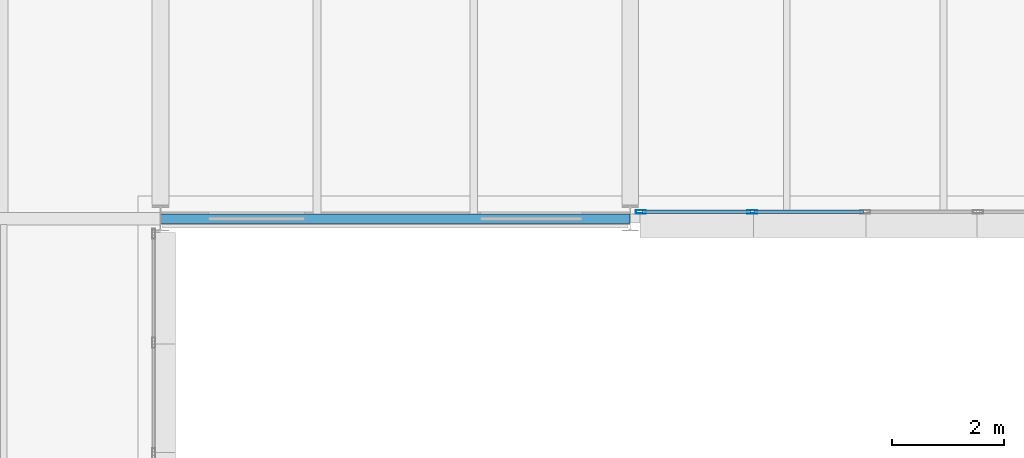
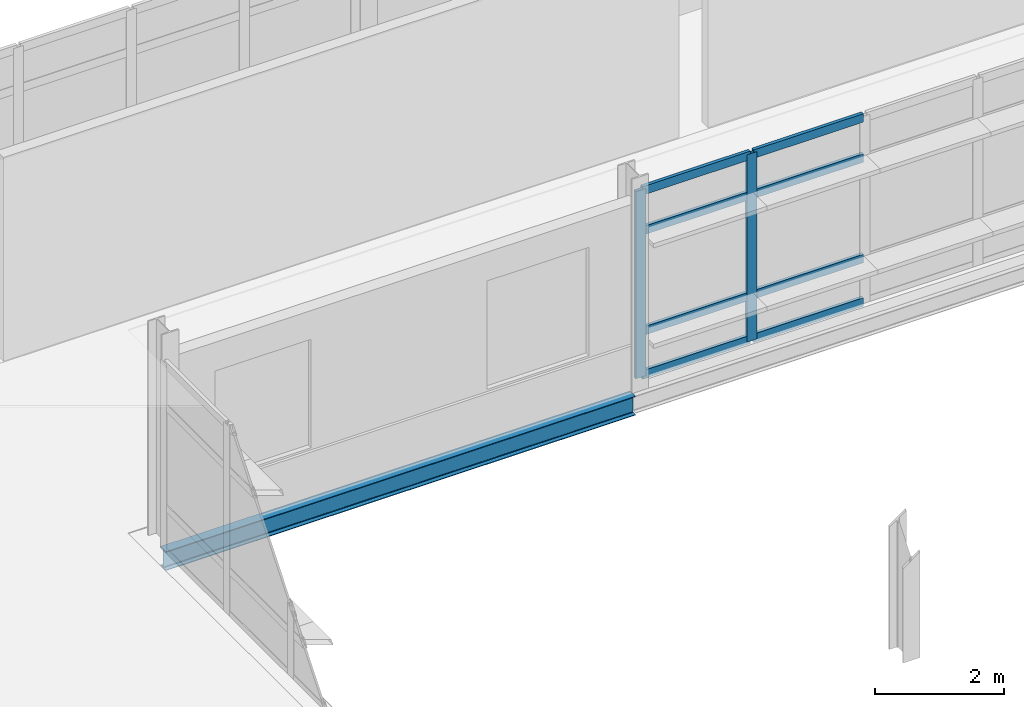
# One storey, part 56 of 103: 10 members, 1 beam, 1 element without a shape of its own.
"""IFC4 building model written with IfcOpenShell, lengths in metres."""

from ifc_helpers import new_model, si_unit, direction, frame, origin, origin_2d, place, context, subcontext, project, spatial, hollow_rectangle, i_section, extrude, material, material_profile, profile_set, type_object, element, aggregate, save


model = new_model("IFC4")

# Units and contexts
model_context = context("Model", 3, precision=1e-05, world=origin(), true_north=direction((0.0, 1.0)))
body_context = subcontext(model_context, "Body", "Model", "MODEL_VIEW")
ifc_project = project(units=[si_unit("LENGTHUNIT", "METRE"), si_unit("AREAUNIT", "SQUARE_METRE"), si_unit("VOLUMEUNIT", "CUBIC_METRE"), si_unit("PLANEANGLEUNIT", "RADIAN"), si_unit("MASSUNIT", "GRAM", prefix="KILO")], contexts=[model_context])

# Site, building, storey
site_placement = place(None, origin())
site = spatial("IfcSite", under=ifc_project, at=site_placement, CompositionType="ELEMENT")
building_placement = place(site_placement, origin())
building = spatial("IfcBuilding", under=site, at=building_placement, Name="Mersafa Astral City Hall", CompositionType="ELEMENT")
storey_placement = place(building_placement, frame((0.0, 0.0, 18.0)))
storey = spatial("IfcBuildingStorey", under=building, at=storey_placement, Name="L04", CompositionType="ELEMENT", Elevation=18.0)

# Curtain wall, members
ifc_material_1 = material(Name="Anodised bronze aluminium framing", Category="aluminium")
curtain_wall_type = type_object("IfcCurtainWallType", Name="ENV-CW-3", PredefinedType="USERDEFINED", material=ifc_material_1)
curtain_wall_placement = place(storey_placement, origin())
curtain_wall = element("IfcCurtainWall", 1, at=curtain_wall_placement, inside=storey, type_object=curtain_wall_type, Name="L04 Unitised solar curtain wall 218", ObjectType="UNITISED CURTAIN WALL", PredefinedType="USERDEFINED")
ifc_material_profile_1 = material_profile(ifc_material_1, hollow_rectangle(XDim=0.06005859375, YDim=0.179931640625, WallThickness=0.00390625, at=origin_2d()), Name="RHS 60x180x4")
ifc_profile_set_1 = profile_set([ifc_material_profile_1], Name="Anodised bronze aluminium framing")
member_type_1 = type_object("IfcMemberType", Name="ENV-CW-MUL-1", PredefinedType="MULLION", material=ifc_profile_set_1)
member_1_placement = place(storey_placement, frame((126.19189453125, 117.719970703125, -0.001953125), z_axis=(0.0, 0.0, 1.0), x_axis=(0.0, 1.0, 0.0)))
member_1 = element("IfcMember", 2, at=member_1_placement, type_object=member_type_1, Name="CW-3 mullion 1", PredefinedType="MULLION", context=body_context, shape_type="SweptSolid", body=[
    extrude(hollow_rectangle(XDim=0.06005859375, YDim=0.179931640625, WallThickness=0.00390625, at=origin_2d()), origin(), (0.0, 0.0, 1.0), 3.5390625),
])
member_2_placement = place(storey_placement, frame((128.180908203125, 117.719970703125, -0.001953125), z_axis=(0.0, 0.0, 1.0), x_axis=(0.0, 1.0, 0.0)))
member_2 = element("IfcMember", 3, at=member_2_placement, type_object=member_type_1, Name="CW-3 mullion 2", PredefinedType="MULLION", context=body_context, shape_type="SweptSolid", body=[
    extrude(hollow_rectangle(XDim=0.06005859375, YDim=0.179931640625, WallThickness=0.00390625, at=origin_2d()), origin(), (0.0, 0.0, 1.0), 3.5390625),
])
ifc_material_profile_2 = material_profile(ifc_material_1, hollow_rectangle(XDim=0.06005859375, YDim=0.159912109375, WallThickness=0.00390625, at=origin_2d()), Name="RHS 60x160x4")
ifc_profile_set_2 = profile_set([ifc_material_profile_2], Name="Anodised bronze aluminium framing")
member_type_2 = type_object("IfcMemberType", Name="ENV-CW-TRN-2", PredefinedType="USERDEFINED", material=ifc_profile_set_2)
member_3_placement = place(storey_placement, frame((126.221923828125, 117.719970703125, 0.028076171875), z_axis=(1.0, 0.0, 0.0), x_axis=(0.0, 1.0, 0.0)))
member_3 = element("IfcMember", 4, at=member_3_placement, type_object=member_type_2, Name="CW-3 transom 1.1", ObjectType="TRANSOM", PredefinedType="USERDEFINED", context=body_context, shape_type="SweptSolid", body=[
    extrude(hollow_rectangle(XDim=0.06005859375, YDim=0.159912109375, WallThickness=0.00390625, at=origin_2d()), origin(), (0.0, 0.0, 1.0), 1.928955078125),
])
member_4_placement = place(storey_placement, frame((126.221923828125, 117.719970703125, 0.85009765625), z_axis=(1.0, 0.0, 0.0), x_axis=(0.0, 1.0, 0.0)))
member_4 = element("IfcMember", 5, at=member_4_placement, type_object=member_type_2, Name="CW-3 transom 1.2", ObjectType="TRANSOM", PredefinedType="USERDEFINED", context=body_context, shape_type="SweptSolid", body=[
    extrude(hollow_rectangle(XDim=0.06005859375, YDim=0.159912109375, WallThickness=0.00390625, at=origin_2d()), origin(), (0.0, 0.0, 1.0), 1.928955078125),
])
member_5_placement = place(storey_placement, frame((126.221923828125, 117.719970703125, 2.75), z_axis=(1.0, 0.0, 0.0), x_axis=(0.0, 1.0, 0.0)))
member_5 = element("IfcMember", 6, at=member_5_placement, type_object=member_type_2, Name="CW-3 transom 1.3", ObjectType="TRANSOM", PredefinedType="USERDEFINED", context=body_context, shape_type="SweptSolid", body=[
    extrude(hollow_rectangle(XDim=0.06005859375, YDim=0.159912109375, WallThickness=0.00390625, at=origin_2d()), origin(), (0.0, 0.0, 1.0), 1.928955078125),
])
member_6_placement = place(storey_placement, frame((126.221923828125, 117.719970703125, 3.507080078125), z_axis=(1.0, 0.0, 0.0), x_axis=(0.0, 1.0, 0.0)))
member_6 = element("IfcMember", 7, at=member_6_placement, type_object=member_type_2, Name="CW-3 transom 1.4", ObjectType="TRANSOM", PredefinedType="USERDEFINED", context=body_context, shape_type="SweptSolid", body=[
    extrude(hollow_rectangle(XDim=0.06005859375, YDim=0.159912109375, WallThickness=0.00390625, at=origin_2d()), origin(), (0.0, 0.0, 1.0), 1.928955078125),
])
member_7_placement = place(storey_placement, frame((128.2109375, 117.719970703125, 0.028076171875), z_axis=(1.0, 0.0, 0.0), x_axis=(0.0, 1.0, 0.0)))
member_7 = element("IfcMember", 8, at=member_7_placement, type_object=member_type_2, Name="CW-3 transom 2.1", ObjectType="TRANSOM", PredefinedType="USERDEFINED", context=body_context, shape_type="SweptSolid", body=[
    extrude(hollow_rectangle(XDim=0.06005859375, YDim=0.159912109375, WallThickness=0.00390625, at=origin_2d()), origin(), (0.0, 0.0, 1.0), 1.958984375),
])
member_8_placement = place(storey_placement, frame((128.2109375, 117.719970703125, 0.85009765625), z_axis=(1.0, 0.0, 0.0), x_axis=(0.0, 1.0, 0.0)))
member_8 = element("IfcMember", 9, at=member_8_placement, type_object=member_type_2, Name="CW-3 transom 2.2", ObjectType="TRANSOM", PredefinedType="USERDEFINED", context=body_context, shape_type="SweptSolid", body=[
    extrude(hollow_rectangle(XDim=0.06005859375, YDim=0.159912109375, WallThickness=0.00390625, at=origin_2d()), origin(), (0.0, 0.0, 1.0), 1.958984375),
])
member_9_placement = place(storey_placement, frame((128.2109375, 117.719970703125, 2.75), z_axis=(1.0, 0.0, 0.0), x_axis=(0.0, 1.0, 0.0)))
member_9 = element("IfcMember", 10, at=member_9_placement, type_object=member_type_2, Name="CW-3 transom 2.3", ObjectType="TRANSOM", PredefinedType="USERDEFINED", context=body_context, shape_type="SweptSolid", body=[
    extrude(hollow_rectangle(XDim=0.06005859375, YDim=0.159912109375, WallThickness=0.00390625, at=origin_2d()), origin(), (0.0, 0.0, 1.0), 1.958984375),
])
member_10_placement = place(storey_placement, frame((128.2109375, 117.719970703125, 3.507080078125), z_axis=(1.0, 0.0, 0.0), x_axis=(0.0, 1.0, 0.0)))
member_10 = element("IfcMember", 11, at=member_10_placement, type_object=member_type_2, Name="CW-3 transom 2.4", ObjectType="TRANSOM", PredefinedType="USERDEFINED", context=body_context, shape_type="SweptSolid", body=[
    extrude(hollow_rectangle(XDim=0.06005859375, YDim=0.159912109375, WallThickness=0.00390625, at=origin_2d()), origin(), (0.0, 0.0, 1.0), 1.958984375),
])
aggregate(curtain_wall, [member_1, member_2, member_3, member_4, member_5, member_6, member_7, member_8, member_9, member_10])

# Beam
ifc_material_2 = material(Name="Steel S355", Category="steel")
ifc_material_profile_3 = material_profile(ifc_material_2, i_section(OverallWidth=0.169921875, OverallDepth=0.360107421875, WebThickness=0.008056640625, FlangeThickness=0.0126953125, FilletRadius=0.01806640625, at=origin_2d()), Name="IPE 360")
ifc_profile_set_3 = profile_set([ifc_material_profile_3], Name="Steel S355")
beam_type = type_object("IfcBeamType", Name="STR-BM-SPANDREL-IPE360", PredefinedType="SPANDREL", material=ifc_profile_set_3)
beam_placement = place(storey_placement, frame((117.60302734375, 117.60009765625, -0.364990234375), z_axis=(1.0, 0.0, 0.0), x_axis=(0.0, 1.0, 0.0)))
element("IfcBeam", 12, at=beam_placement, inside=storey, type_object=beam_type, Name="L04 Primary girder X 14-14", PredefinedType="SPANDREL", context=body_context, shape_type="SweptSolid", body=[
    extrude(i_section(OverallWidth=0.169921875, OverallDepth=0.360107421875, WebThickness=0.008056640625, FlangeThickness=0.0126953125, FilletRadius=0.01806640625, at=origin_2d()), origin(), (0.0, 0.0, 1.0), 8.39404296875),
])

save(model, "model.ifc")
